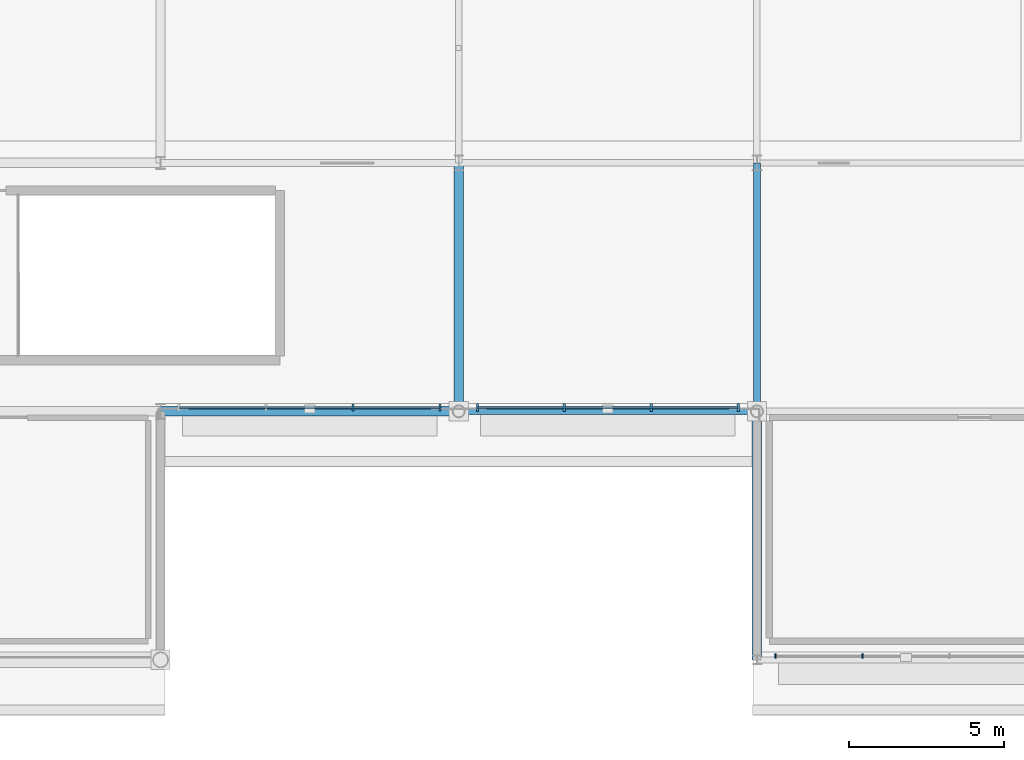
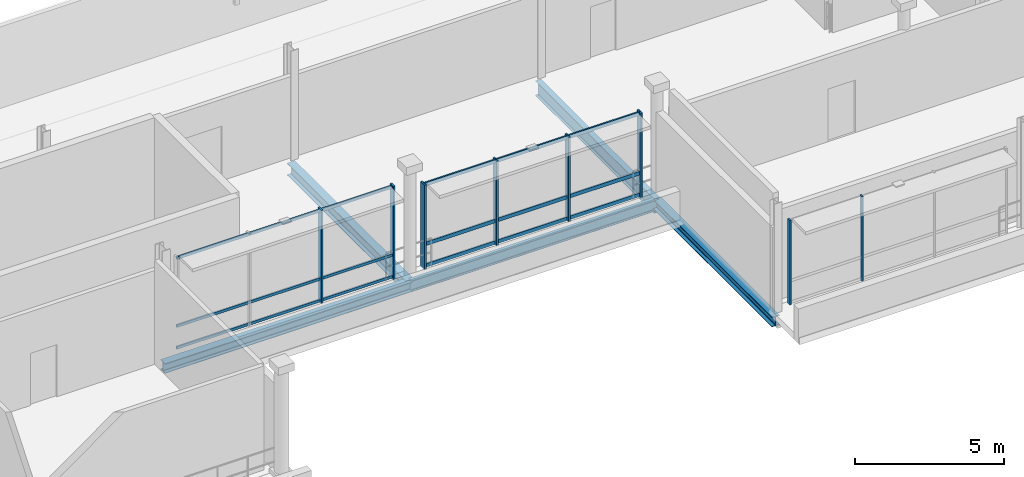
# One storey, part 74 of 193: 14 members, 5 beams, 3 elements without a shape of their own.
"""IFC4 building model written with IfcOpenShell, lengths in metres."""

from ifc_helpers import new_model, si_unit, direction, frame, origin, origin_2d, place, context, subcontext, project, spatial, rectangle, i_section, extrude, material, material_profile, profile_set, type_object, element, aggregate, save


model = new_model("IFC4")

# Units and contexts
model_context = context("Model", 3, precision=1e-05, world=origin(), true_north=direction((0.0, 1.0)))
body_context = subcontext(model_context, "Body", "Model", "MODEL_VIEW")
ifc_project = project(units=[si_unit("LENGTHUNIT", "METRE"), si_unit("AREAUNIT", "SQUARE_METRE"), si_unit("VOLUMEUNIT", "CUBIC_METRE"), si_unit("PLANEANGLEUNIT", "RADIAN"), si_unit("MASSUNIT", "GRAM", prefix="KILO")], contexts=[model_context])

# Site, building, storey
site_placement = place(None, origin())
site = spatial("IfcSite", under=ifc_project, at=site_placement, CompositionType="ELEMENT")
building_placement = place(site_placement, origin())
building = spatial("IfcBuilding", under=site, at=building_placement, Name="Danafjord Basin Convention Centre", CompositionType="ELEMENT")
storey_placement = place(building_placement, frame((0.0, 0.0, 11.39990234375)))
storey = spatial("IfcBuildingStorey", under=building, at=storey_placement, Name="L02", CompositionType="ELEMENT", Elevation=11.39990234375)

# Beams
ifc_material_1 = material(Name="Steel S355", Category="steel")
ifc_material_profile_1 = material_profile(ifc_material_1, i_section(OverallWidth=0.300048828125, OverallDepth=0.5, WebThickness=0.014404296875, FlangeThickness=0.028076171875, FilletRadius=0.027099609375, at=origin_2d()), Name="HEB 500")
ifc_profile_set_1 = profile_set([ifc_material_profile_1], Name="Steel S355")
beam_type_1 = type_object("IfcBeamType", Name="BEAM-BM-HEB500", PredefinedType="BEAM", material=ifc_profile_set_1)
beam_1_placement = place(storey_placement, frame((163.199951171875, 8.0, -0.47998046875), z_axis=(0.0, 1.0, 0.0), x_axis=(-1.0, 0.0, 0.0)))
element("IfcBeam", 1, at=beam_1_placement, inside=storey, type_object=beam_type_1, Name="L02 transverse girder BM-HEB500", PredefinedType="BEAM", context=body_context, shape_type="SweptSolid", body=[
    extrude(i_section(OverallWidth=0.300048828125, OverallDepth=0.5, WebThickness=0.014404296875, FlangeThickness=0.028076171875, FilletRadius=0.027099609375, at=origin_2d()), origin(), (0.0, 0.0, 1.0), 8.0),
])
ifc_material_profile_2 = material_profile(ifc_material_1, i_section(OverallWidth=0.219970703125, OverallDepth=0.60009765625, WebThickness=0.011962890625, FlangeThickness=0.01904296875, FilletRadius=0.02392578125, at=origin_2d()), Name="IPE 600")
ifc_profile_set_2 = profile_set([ifc_material_profile_2], Name="Steel S355")
beam_type_2 = type_object("IfcBeamType", Name="BEAM-BM-IPE600", PredefinedType="BEAM", material=ifc_profile_set_2)
beam_2_placement = place(storey_placement, frame((172.800048828125, 8.0, -0.52978515625), z_axis=(0.0, 1.0, 0.0), x_axis=(-1.0, 0.0, 0.0)))
element("IfcBeam", 2, at=beam_2_placement, inside=storey, type_object=beam_type_2, Name="L02 transverse girder BM-IPE600", PredefinedType="BEAM", context=body_context, shape_type="SweptSolid", body=[
    extrude(i_section(OverallWidth=0.219970703125, OverallDepth=0.60009765625, WebThickness=0.011962890625, FlangeThickness=0.01904296875, FilletRadius=0.02392578125, at=origin_2d()), origin(), (0.0, 0.0, 1.0), 8.0),
])
ifc_material_profile_3 = material_profile(ifc_material_1, i_section(OverallWidth=0.300048828125, OverallDepth=0.39990234375, WebThickness=0.013427734375, FlangeThickness=0.02392578125, FilletRadius=0.027099609375, at=origin_2d()), Name="HEB 400")
ifc_profile_set_3 = profile_set([ifc_material_profile_3], Name="Steel S355")
beam_type_3 = type_object("IfcBeamType", Name="BEAM-SP-HEB400", PredefinedType="SPANDREL", material=ifc_profile_set_3)
beam_3_placement = place(storey_placement, frame((153.60009765625, 8.0, -0.429931640625), z_axis=(1.0, 0.0, 0.0), x_axis=(0.0, 1.0, 0.0)))
element("IfcBeam", 3, at=beam_3_placement, inside=storey, type_object=beam_type_3, Name="L02 girder SP-HEB400", PredefinedType="SPANDREL", context=body_context, shape_type="SweptSolid", body=[
    extrude(i_section(OverallWidth=0.300048828125, OverallDepth=0.39990234375, WebThickness=0.013427734375, FlangeThickness=0.02392578125, FilletRadius=0.027099609375, at=origin_2d()), origin(), (0.0, 0.0, 1.0), 9.599853515625),
])
beam_4_placement = place(storey_placement, frame((172.800048828125, 0.0, -0.429931640625), z_axis=(0.0, 1.0, 0.0), x_axis=(-1.0, 0.0, 0.0)))
element("IfcBeam", 4, at=beam_4_placement, inside=storey, type_object=beam_type_3, Name="L02 transverse girder SP-HEB400", PredefinedType="SPANDREL", context=body_context, shape_type="SweptSolid", body=[
    extrude(i_section(OverallWidth=0.300048828125, OverallDepth=0.39990234375, WebThickness=0.013427734375, FlangeThickness=0.02392578125, FilletRadius=0.027099609375, at=origin_2d()), origin(), (0.0, 0.0, 1.0), 8.0),
])
ifc_material_profile_4 = material_profile(ifc_material_1, i_section(OverallWidth=0.18994140625, OverallDepth=0.449951171875, WebThickness=0.009521484375, FlangeThickness=0.0146484375, FilletRadius=0.02099609375, at=origin_2d()), Name="IPE 450")
ifc_profile_set_4 = profile_set([ifc_material_profile_4], Name="Steel S355")
beam_type_4 = type_object("IfcBeamType", Name="BEAM-SP-IPE450", PredefinedType="SPANDREL", material=ifc_profile_set_4)
beam_5_placement = place(storey_placement, frame((163.199951171875, 8.0, -0.454833984375), z_axis=(1.0, 0.0, 0.0), x_axis=(0.0, 1.0, 0.0)))
element("IfcBeam", 5, at=beam_5_placement, inside=storey, type_object=beam_type_4, Name="L02 girder SP-IPE450", PredefinedType="SPANDREL", context=body_context, shape_type="SweptSolid", body=[
    extrude(i_section(OverallWidth=0.18994140625, OverallDepth=0.449951171875, WebThickness=0.009521484375, FlangeThickness=0.0146484375, FilletRadius=0.02099609375, at=origin_2d()), origin(), (0.0, 0.0, 1.0), 9.60009765625),
])

# Curtain wall, members
ifc_material_2 = material(Name="Anodised aluminium and triple glazing", Category="aluminium")
curtain_wall_type = type_object("IfcCurtainWallType", Name="CW-CW-HARB", PredefinedType="NOTDEFINED", material=ifc_material_2)
curtain_wall_1_placement = place(storey_placement, origin())
curtain_wall_1 = element("IfcCurtainWall", 6, at=curtain_wall_1_placement, inside=storey, type_object=curtain_wall_type, Name="L02 CW-HARB unitised curtain wall bay 135", PredefinedType="NOTDEFINED")
ifc_material_3 = material(Name="Anodised aluminium EN AW-6060", Category="aluminium")
ifc_material_profile_5 = material_profile(ifc_material_3, rectangle(XDim=0.06005859375, YDim=0.139892578125, at=origin_2d()), Name="MULL 60x140")
ifc_profile_set_5 = profile_set([ifc_material_profile_5], Name="Anodised aluminium EN AW-6060")
member_type_1 = type_object("IfcMemberType", Name="MEM-ML-140", PredefinedType="MULLION", material=ifc_profile_set_5)
member_1_placement = place(storey_placement, frame((173.39990234375, 0.1201171875, -0.02490234375), z_axis=(0.0, 0.0, 1.0), x_axis=(1.0, 0.0, 0.0)))
member_1 = element("IfcMember", 7, at=member_1_placement, type_object=member_type_1, Name="CW-L02-135 mullion 1", PredefinedType="MULLION", context=body_context, shape_type="SweptSolid", body=[
    extrude(rectangle(XDim=0.06005859375, YDim=0.139892578125, at=origin_2d()), origin(), (0.0, 0.0, 1.0), 3.490966796875),
])
member_2_placement = place(storey_placement, frame((176.199951171875, 0.1201171875, -0.02490234375), z_axis=(0.0, 0.0, 1.0), x_axis=(1.0, 0.0, 0.0)))
member_2 = element("IfcMember", 8, at=member_2_placement, type_object=member_type_1, Name="CW-L02-135 mullion 2", PredefinedType="MULLION", context=body_context, shape_type="SweptSolid", body=[
    extrude(rectangle(XDim=0.06005859375, YDim=0.139892578125, at=origin_2d()), origin(), (0.0, 0.0, 1.0), 3.490966796875),
])
aggregate(curtain_wall_1, [member_1, member_2])

curtain_wall_2_placement = place(storey_placement, origin())
curtain_wall_2 = element("IfcCurtainWall", 9, at=curtain_wall_2_placement, inside=storey, type_object=curtain_wall_type, Name="L02 CW-HARB unitised curtain wall bay 147", PredefinedType="NOTDEFINED")
ifc_material_profile_6 = material_profile(ifc_material_3, rectangle(XDim=0.06494140625, YDim=0.219970703125, at=origin_2d()), Name="MULL 65x220")
ifc_profile_set_6 = profile_set([ifc_material_profile_6], Name="Anodised aluminium EN AW-6060")
member_type_2 = type_object("IfcMemberType", Name="MEM-ML-220", PredefinedType="MULLION", material=ifc_profile_set_6)
member_3_placement = place(storey_placement, frame((159.800048828125, 8.1201171875, -0.02490234375), z_axis=(0.0, 0.0, 1.0), x_axis=(1.0, 0.0, 0.0)))
member_3 = element("IfcMember", 10, at=member_3_placement, type_object=member_type_2, Name="CW-L02-147 mullion 3", PredefinedType="MULLION", context=body_context, shape_type="SweptSolid", body=[
    extrude(rectangle(XDim=0.06494140625, YDim=0.219970703125, at=origin_2d()), origin(), (0.0, 0.0, 1.0), 3.841064453125),
])
member_4_placement = place(storey_placement, frame((162.60009765625, 8.1201171875, -0.02490234375), z_axis=(0.0, 0.0, 1.0), x_axis=(1.0, 0.0, 0.0)))
member_4 = element("IfcMember", 11, at=member_4_placement, type_object=member_type_2, Name="CW-L02-147 mullion 4", PredefinedType="MULLION", context=body_context, shape_type="SweptSolid", body=[
    extrude(rectangle(XDim=0.06494140625, YDim=0.219970703125, at=origin_2d()), origin(), (0.0, 0.0, 1.0), 3.841064453125),
])

curtain_wall_3_placement = place(storey_placement, origin())
curtain_wall_3 = element("IfcCurtainWall", 12, at=curtain_wall_3_placement, inside=storey, type_object=curtain_wall_type, Name="L02 CW-HARB unitised curtain wall bay 148", PredefinedType="NOTDEFINED")
ifc_material_profile_7 = material_profile(ifc_material_3, rectangle(XDim=0.070068359375, YDim=0.260009765625, at=origin_2d()), Name="MULL 70x260")
ifc_profile_set_7 = profile_set([ifc_material_profile_7], Name="Anodised aluminium EN AW-6060")
member_type_3 = type_object("IfcMemberType", Name="MEM-ML-260", PredefinedType="MULLION", material=ifc_profile_set_7)
member_5_placement = place(storey_placement, frame((163.800048828125, 8.1201171875, -0.02490234375), z_axis=(0.0, 0.0, 1.0), x_axis=(1.0, 0.0, 0.0)))
member_5 = element("IfcMember", 13, at=member_5_placement, type_object=member_type_3, Name="CW-L02-148 mullion 1", PredefinedType="MULLION", context=body_context, shape_type="SweptSolid", body=[
    extrude(rectangle(XDim=0.070068359375, YDim=0.260009765625, at=origin_2d()), origin(), (0.0, 0.0, 1.0), 3.490966796875),
])
member_6_placement = place(storey_placement, frame((166.60009765625, 8.1201171875, -0.02490234375), z_axis=(0.0, 0.0, 1.0), x_axis=(1.0, 0.0, 0.0)))
member_6 = element("IfcMember", 14, at=member_6_placement, type_object=member_type_3, Name="CW-L02-148 mullion 2", PredefinedType="MULLION", context=body_context, shape_type="SweptSolid", body=[
    extrude(rectangle(XDim=0.070068359375, YDim=0.260009765625, at=origin_2d()), origin(), (0.0, 0.0, 1.0), 3.490966796875),
])
member_7_placement = place(storey_placement, frame((169.39990234375, 8.1201171875, -0.02490234375), z_axis=(0.0, 0.0, 1.0), x_axis=(1.0, 0.0, 0.0)))
member_7 = element("IfcMember", 15, at=member_7_placement, type_object=member_type_3, Name="CW-L02-148 mullion 3", PredefinedType="MULLION", context=body_context, shape_type="SweptSolid", body=[
    extrude(rectangle(XDim=0.070068359375, YDim=0.260009765625, at=origin_2d()), origin(), (0.0, 0.0, 1.0), 3.490966796875),
])
member_8_placement = place(storey_placement, frame((172.199951171875, 8.1201171875, -0.02490234375), z_axis=(0.0, 0.0, 1.0), x_axis=(1.0, 0.0, 0.0)))
member_8 = element("IfcMember", 16, at=member_8_placement, type_object=member_type_3, Name="CW-L02-148 mullion 4", PredefinedType="MULLION", context=body_context, shape_type="SweptSolid", body=[
    extrude(rectangle(XDim=0.070068359375, YDim=0.260009765625, at=origin_2d()), origin(), (0.0, 0.0, 1.0), 3.490966796875),
])

# Member
ifc_material_profile_8 = material_profile(ifc_material_3, rectangle(XDim=0.06005859375, YDim=0.110107421875, at=origin_2d()), Name="TRAN 60x110")
ifc_profile_set_8 = profile_set([ifc_material_profile_8], Name="Anodised aluminium EN AW-6060")
member_type_4 = type_object("IfcMemberType", Name="MEM-TR-110", PredefinedType="USERDEFINED", material=ifc_profile_set_8)
member_9_placement = place(storey_placement, frame((154.199951171875, 8.1201171875, 0.06005859375), z_axis=(1.0, 0.0, 0.0), x_axis=(0.0, 1.0, 0.0)))
member_9 = element("IfcMember", 17, at=member_9_placement, type_object=member_type_4, Name="CW-L02-147 transom 1", ObjectType="TRANSOM", PredefinedType="USERDEFINED", context=body_context, shape_type="SweptSolid", body=[
    extrude(rectangle(XDim=0.06005859375, YDim=0.110107421875, at=origin_2d()), origin(), (0.0, 0.0, 1.0), 8.400146484375),
])

member_10_placement = place(storey_placement, frame((154.199951171875, 8.1201171875, 0.9501953125), z_axis=(1.0, 0.0, 0.0), x_axis=(0.0, 1.0, 0.0)))
member_10 = element("IfcMember", 18, at=member_10_placement, type_object=member_type_4, Name="CW-L02-147 transom 2", ObjectType="TRANSOM", PredefinedType="USERDEFINED", context=body_context, shape_type="SweptSolid", body=[
    extrude(rectangle(XDim=0.06005859375, YDim=0.110107421875, at=origin_2d()), origin(), (0.0, 0.0, 1.0), 8.400146484375),
])

member_11_placement = place(storey_placement, frame((154.199951171875, 8.1201171875, 3.74609375), z_axis=(1.0, 0.0, 0.0), x_axis=(0.0, 1.0, 0.0)))
member_11 = element("IfcMember", 19, at=member_11_placement, type_object=member_type_4, Name="CW-L02-147 transom 3", ObjectType="TRANSOM", PredefinedType="USERDEFINED", context=body_context, shape_type="SweptSolid", body=[
    extrude(rectangle(XDim=0.06005859375, YDim=0.110107421875, at=origin_2d()), origin(), (0.0, 0.0, 1.0), 8.400146484375),
])

aggregate(curtain_wall_2, [member_3, member_4, member_9, member_10, member_11])

ifc_material_profile_9 = material_profile(ifc_material_3, rectangle(XDim=0.06005859375, YDim=0.14990234375, at=origin_2d()), Name="TRAN 60x150")
ifc_profile_set_9 = profile_set([ifc_material_profile_9], Name="Anodised aluminium EN AW-6060")
member_type_5 = type_object("IfcMemberType", Name="MEM-TR-150", PredefinedType="USERDEFINED", material=ifc_profile_set_9)
member_12_placement = place(storey_placement, frame((163.800048828125, 8.1201171875, 0.06005859375), z_axis=(1.0, 0.0, 0.0), x_axis=(0.0, 1.0, 0.0)))
member_12 = element("IfcMember", 20, at=member_12_placement, type_object=member_type_5, Name="CW-L02-148 transom 1", ObjectType="TRANSOM", PredefinedType="USERDEFINED", context=body_context, shape_type="SweptSolid", body=[
    extrude(rectangle(XDim=0.06005859375, YDim=0.14990234375, at=origin_2d()), origin(), (0.0, 0.0, 1.0), 8.39990234375),
])

member_13_placement = place(storey_placement, frame((163.800048828125, 8.1201171875, 0.9501953125), z_axis=(1.0, 0.0, 0.0), x_axis=(0.0, 1.0, 0.0)))
member_13 = element("IfcMember", 21, at=member_13_placement, type_object=member_type_5, Name="CW-L02-148 transom 2", ObjectType="TRANSOM", PredefinedType="USERDEFINED", context=body_context, shape_type="SweptSolid", body=[
    extrude(rectangle(XDim=0.06005859375, YDim=0.14990234375, at=origin_2d()), origin(), (0.0, 0.0, 1.0), 8.39990234375),
])

member_14_placement = place(storey_placement, frame((163.800048828125, 8.1201171875, 3.39599609375), z_axis=(1.0, 0.0, 0.0), x_axis=(0.0, 1.0, 0.0)))
member_14 = element("IfcMember", 22, at=member_14_placement, type_object=member_type_5, Name="CW-L02-148 transom 3", ObjectType="TRANSOM", PredefinedType="USERDEFINED", context=body_context, shape_type="SweptSolid", body=[
    extrude(rectangle(XDim=0.06005859375, YDim=0.14990234375, at=origin_2d()), origin(), (0.0, 0.0, 1.0), 8.39990234375),
])

aggregate(curtain_wall_3, [member_5, member_6, member_7, member_8, member_12, member_13, member_14])

save(model, "model.ifc")
